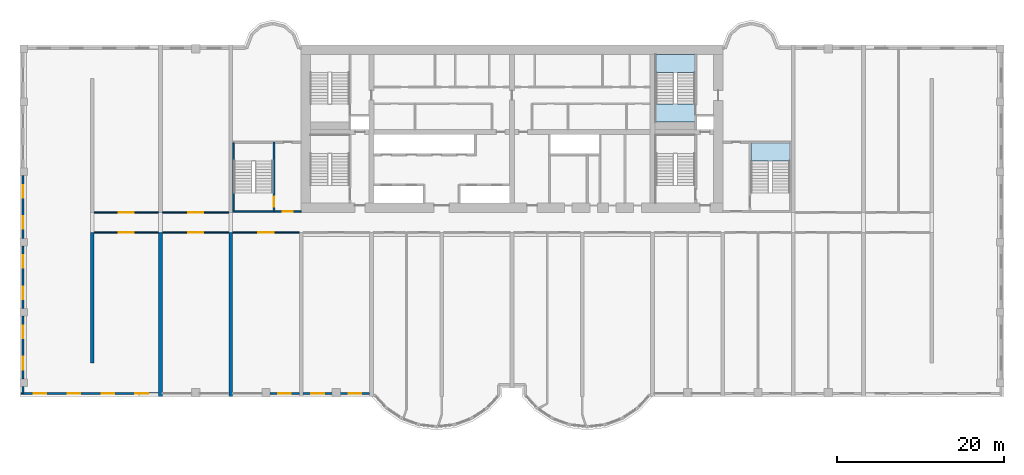
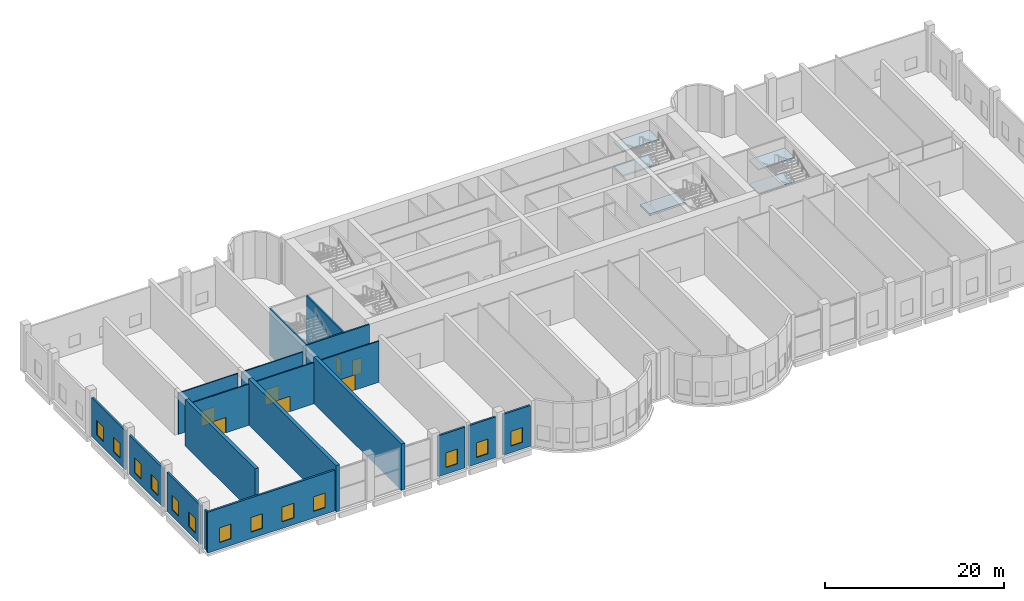
# One storey, part 6 of 15: 19 walls, 13 windows, 7 doors, 5 slabs, 20 openings, 2 elements without a shape of their own.
"""IFC4 building model written with IfcOpenShell, lengths in metres."""

from ifc_helpers import new_model, si_unit, direction, frame, frame_2d, origin, place, context, subcontext, project, spatial, polyline, rectangle, outline, extrude, source, transform, mapped, material, layer, layer_set, type_object, element, fill, aggregate, save


model = new_model("IFC4")

# Units and contexts
model_context = context("Model", 3, precision=1e-05, world=origin(), true_north=direction((0.0, 1.0)))
body_context = subcontext(model_context, "Body", "Model", "MODEL_VIEW")
ifc_project = project(units=[si_unit("LENGTHUNIT", "METRE"), si_unit("AREAUNIT", "SQUARE_METRE"), si_unit("VOLUMEUNIT", "CUBIC_METRE"), si_unit("PLANEANGLEUNIT", "RADIAN"), si_unit("MASSUNIT", "GRAM", prefix="KILO")], contexts=[model_context])

# Site, building, storey
site_placement = place(None, origin())
site = spatial("IfcSite", under=ifc_project, at=site_placement, CompositionType="ELEMENT")
building_placement = place(site_placement, origin())
building = spatial("IfcBuilding", under=site, at=building_placement, Name="Vanashikhar Sky Hotel", CompositionType="ELEMENT")
storey_placement = place(building_placement, frame((0.0, 0.0, 11.39990234375)))
storey = spatial("IfcBuildingStorey", under=building, at=storey_placement, Name="L02", CompositionType="ELEMENT", Elevation=11.39990234375)

# Stair, slabs
ifc_material_1 = material(Name="Concrete M40", Category="concrete")
stair_type = type_object("IfcStairType", Name="Exit stair 2150", PredefinedType="DOUBLE_RETURN_STAIR", material=ifc_material_1)
stair_1_placement = place(storey_placement, origin())
stair_1 = element("IfcStair", 1, at=stair_1_placement, inside=storey, type_object=stair_type, Name="L02 Exit stair 4", PredefinedType="DOUBLE_RETURN_STAIR")
ifc_layer_1 = layer(ifc_material_1, 0.199951171875)
ifc_layer_set_1 = layer_set([ifc_layer_1], Name="Stair landing 200")
slab_type_1 = type_object("IfcSlabType", Name="Stair landing 200", PredefinedType="LANDING", material=ifc_layer_set_1)
shared_shape_1 = source(origin(), body_context, "Body", "SweptSolid", [
    extrude(outline(polyline([(83.60009765625, 28.14990234375), (83.60009765625, 30.300048828125), (78.949951171875, 30.300048828125), (78.949951171875, 28.14990234375), (83.60009765625, 28.14990234375)])), origin(), (0.0, 0.0, 1.0), 0.199951171875),
])
slab_1_placement = place(storey_placement, frame((0.0, 0.0, 1.4501953125)))
slab_1 = element("IfcSlab", 2, at=slab_1_placement, type_object=slab_type_1, Name="ST-E landing 1", PredefinedType="LANDING", context=body_context, shape_type="MappedRepresentation", body=[
    mapped(shared_shape_1, transform((0.0, 0.0, 0.0), scale=1.0)),
])
shared_shape_2 = source(origin(), body_context, "Body", "SweptSolid", [
    extrude(outline(polyline([(83.60009765625, 28.14990234375), (83.60009765625, 30.300048828125), (78.949951171875, 30.300048828125), (78.949951171875, 28.14990234375), (83.60009765625, 28.14990234375)])), origin(), (0.0, 0.0, 1.0), 0.2001953125),
])
slab_2_placement = place(storey_placement, frame((0.0, 0.0, 4.75)))
slab_2 = element("IfcSlab", 3, at=slab_2_placement, type_object=slab_type_1, Name="ST-E landing 3", PredefinedType="LANDING", context=body_context, shape_type="MappedRepresentation", body=[
    mapped(shared_shape_2, transform((0.0, 0.0, 0.0), scale=1.0)),
])
aggregate(stair_1, [slab_1, slab_2])

stair_2_placement = place(storey_placement, origin())
stair_2 = element("IfcStair", 4, at=stair_2_placement, inside=storey, type_object=stair_type, Name="L02 Exit stair 6", PredefinedType="DOUBLE_RETURN_STAIR")
shared_shape_3 = source(origin(), body_context, "Body", "SweptSolid", [
    extrude(outline(polyline([(72.25, 38.75), (72.25, 40.89990234375), (67.60009765625, 40.89990234375), (67.60009765625, 38.75), (72.25, 38.75)])), origin(), (0.0, 0.0, 1.0), 0.199951171875),
])
slab_3_placement = place(storey_placement, frame((0.0, 0.0, 1.4501953125)))
slab_3 = element("IfcSlab", 5, at=slab_3_placement, type_object=slab_type_1, Name="ST-C4 landing 1", PredefinedType="LANDING", context=body_context, shape_type="MappedRepresentation", body=[
    mapped(shared_shape_3, transform((0.0, 0.0, 0.0), scale=1.0)),
])
shared_shape_4 = source(origin(), body_context, "Body", "SweptSolid", [
    extrude(outline(polyline([(72.25, 38.75), (72.25, 40.89990234375), (67.60009765625, 40.89990234375), (67.60009765625, 38.75), (72.25, 38.75)])), origin(), (0.0, 0.0, 1.0), 0.2001953125),
])
slab_4_placement = place(storey_placement, frame((0.0, 0.0, 4.75)))
slab_4 = element("IfcSlab", 6, at=slab_4_placement, type_object=slab_type_1, Name="ST-C4 landing 3", PredefinedType="LANDING", context=body_context, shape_type="MappedRepresentation", body=[
    mapped(shared_shape_4, transform((0.0, 0.0, 0.0), scale=1.0)),
])
aggregate(stair_2, [slab_3, slab_4])

# Slab
ifc_layer_2 = layer(ifc_material_1, 0.280029296875)
ifc_layer_set_2 = layer_set([ifc_layer_2], Name="Stair floor landing 280")
slab_type_2 = type_object("IfcSlabType", Name="Stair floor landing 280", PredefinedType="LANDING", material=ifc_layer_set_2)
shared_shape_5 = source(origin(), body_context, "Body", "SweptSolid", [
    extrude(outline(polyline([(72.25, 32.800048828125), (72.25, 34.949951171875), (67.60009765625, 34.949951171875), (67.60009765625, 32.800048828125), (72.25, 32.800048828125)])), origin(), (0.0, 0.0, 1.0), 0.27978515625),
])
slab_5_placement = place(storey_placement, frame((0.0, 0.0, -0.27978515625)))
element("IfcSlab", 7, at=slab_5_placement, inside=storey, type_object=slab_type_2, Name="Exit stair 6 floor landing", PredefinedType="LANDING", context=body_context, shape_type="MappedRepresentation", body=[
    mapped(shared_shape_5, transform((0.0, 0.0, 0.0), scale=1.0)),
])

# Walls
ifc_material_2 = material(Name="Concrete M80", Category="concrete")
ifc_layer_3 = layer(ifc_material_2, 0.449951171875)
ifc_layer_set_3 = layer_set([ifc_layer_3], Name="RC shear wall 450 Concrete M80")
wall_type_1 = type_object("IfcWallType", Name="RC shear wall 450 Concrete M80", PredefinedType="SHEAR", material=ifc_layer_set_3)
shared_shape_6 = source(origin(), body_context, "Body", "SweptSolid", [
    extrude(rectangle(XDim=15.60009765625, YDim=0.449951171875, at=frame_2d((7.800048828125, 0.0))), origin(), (0.0, 0.0, 1.0), 6.320068359375),
])
wall_1_placement = place(storey_placement, frame((0.22509765625, 4.0, 0.0), z_axis=(0.0, 0.0, 1.0), x_axis=(0.0, 1.0, 0.0)))
element("IfcWall", 8, at=wall_1_placement, inside=storey, type_object=wall_type_1, Name="CW-L02-XW01-1", PredefinedType="SHEAR", context=body_context, shape_type="MappedRepresentation", body=[
    mapped(shared_shape_6, transform((0.0, 0.0, 0.0), scale=1.0)),
])
shared_shape_7 = source(origin(), body_context, "Body", "SweptSolid", [
    extrude(rectangle(XDim=19.60009765625, YDim=0.449951171875, at=frame_2d((9.800048828125, 0.0))), origin(), (0.0, 0.0, 1.0), 6.320068359375),
])
for number, where, z_axis, x_axis, name in (
    (9, (8.39990234375, 0.0, 0.0), (0.0, 0.0, 1.0), (0.0, 1.0, 0.0), "CW-L02-XW02-1"),
    (10, (16.800048828125, 0.0, 0.0), (0.0, 0.0, 1.0), (0.0, 1.0, 0.0), "CW-L02-XW03-1"),
):
    element("IfcWall", number, at=place(storey_placement, frame(where, z_axis=z_axis, x_axis=x_axis)), inside=storey, type_object=wall_type_1, Name=name, PredefinedType="SHEAR", context=body_context, shape_type="MappedRepresentation", body=[
        mapped(shared_shape_7, transform((0.0, 0.0, 0.0), scale=1.0)),
    ])

# Wall, opening, window
ifc_material_3 = material(Name="Concrete M50", Category="concrete")
ifc_layer_4 = layer(ifc_material_3, 0.25)
ifc_layer_set_4 = layer_set([ifc_layer_4], Name="Rear and end board-marked wall 250")
wall_type_2 = type_object("IfcWallType", Name="Rear and end board-marked wall 250", PredefinedType="SOLIDWALL", material=ifc_layer_set_4)
shared_shape_8 = source(origin(), body_context, "Body", "SweptSolid", [
    extrude(rectangle(XDim=3.525146484375, YDim=0.25, at=frame_2d((1.7626953125, 0.0))), origin(), (0.0, 0.0, 1.0), 5.570068359375),
])
wall_2_placement = place(storey_placement, frame((21.449951171875, 0.375, 0.0), z_axis=(0.0, 0.0, 1.0), x_axis=(1.0, 0.0, 0.0)))
wall_2 = element("IfcWall", 11, at=wall_2_placement, inside=storey, type_object=wall_type_2, Name="Podium external wall", PredefinedType="SOLIDWALL", context=body_context, shape_type="MappedRepresentation", body=[
    mapped(shared_shape_8, transform((0.0, 0.0, 0.0), scale=1.0)),
])
shared_shape_9 = source(origin(), body_context, "Body", "SweptSolid", [
    extrude(rectangle(XDim=1.5, YDim=2.0, at=frame_2d((0.75, 1.0))), frame((0.0, 0.135009765625, 0.0), z_axis=(0.0, -1.0, 0.0), x_axis=(1.0, 0.0, 0.0)), (0.0, 0.0, 1.0), 0.27001953125),
])
opening_1_placement = place(wall_2_placement, frame((1.012451171875, 0.0, 0.89990234375)))
opening_1 = element("IfcOpeningElement", 12, at=opening_1_placement, cuts=wall_2, Name="Opening WN-2", PredefinedType="OPENING", context=body_context, shape_type="MappedRepresentation", body=[
    mapped(shared_shape_9, transform((0.0, 0.0, 0.0), scale=1.0)),
])
ifc_material_4 = material(Name="Glass", Category="glass")
window_type = type_object("IfcWindowType", Name="Lobe window 1500 x 2000", PartitioningType="SINGLE_PANEL", PredefinedType="WINDOW", material=ifc_material_4)
shared_shape_10 = source(origin(), body_context, "Body", "SweptSolid", [
    extrude(rectangle(XDim=1.5, YDim=2.0, at=frame_2d((0.75, 1.0))), frame((0.0, 0.030029296875, 0.0), z_axis=(0.0, -1.0, 0.0), x_axis=(1.0, 0.0, 0.0)), (0.0, 0.0, 1.0), 0.06005859375),
])
window_1_placement = place(opening_1_placement, origin())
window_1 = element("IfcWindow", 13, at=window_1_placement, inside=storey, type_object=window_type, Name="Window WN-2", OverallHeight=2.0, OverallWidth=1.5, PartitioningType="SINGLE_PANEL", PredefinedType="WINDOW", context=body_context, shape_type="MappedRepresentation", body=[
    mapped(shared_shape_10, transform((0.0, 0.0, 0.0), scale=1.0)),
])
fill(opening_1, window_1)

shared_shape_11 = source(origin(), body_context, "Body", "SweptSolid", [
    extrude(rectangle(XDim=3.52490234375, YDim=0.25, at=frame_2d((1.762451171875, 0.0))), origin(), (0.0, 0.0, 1.0), 5.570068359375),
])
wall_3_placement = place(storey_placement, frame((25.425048828125, 0.375, 0.0), z_axis=(0.0, 0.0, 1.0), x_axis=(1.0, 0.0, 0.0)))
wall_3 = element("IfcWall", 14, at=wall_3_placement, inside=storey, type_object=wall_type_2, Name="Podium external wall", PredefinedType="SOLIDWALL", context=body_context, shape_type="MappedRepresentation", body=[
    mapped(shared_shape_11, transform((0.0, 0.0, 0.0), scale=1.0)),
])
opening_2_placement = place(wall_3_placement, frame((1.012451171875, 0.0, 0.89990234375)))
opening_2 = element("IfcOpeningElement", 15, at=opening_2_placement, cuts=wall_3, Name="Opening WN-2", PredefinedType="OPENING", context=body_context, shape_type="MappedRepresentation", body=[
    mapped(shared_shape_9, transform((0.0, 0.0, 0.0), scale=1.0)),
])
window_2_placement = place(opening_2_placement, origin())
window_2 = element("IfcWindow", 16, at=window_2_placement, inside=storey, type_object=window_type, Name="Window WN-2", OverallHeight=2.0, OverallWidth=1.5, PartitioningType="SINGLE_PANEL", PredefinedType="WINDOW", context=body_context, shape_type="MappedRepresentation", body=[
    mapped(shared_shape_10, transform((0.0, 0.0, 0.0), scale=1.0)),
])
fill(opening_2, window_2)

wall_4_placement = place(storey_placement, frame((29.85009765625, 0.375, 0.0), z_axis=(0.0, 0.0, 1.0), x_axis=(1.0, 0.0, 0.0)))
wall_4 = element("IfcWall", 17, at=wall_4_placement, inside=storey, type_object=wall_type_2, Name="Podium external wall", PredefinedType="SOLIDWALL", context=body_context, shape_type="MappedRepresentation", body=[
    mapped(shared_shape_11, transform((0.0, 0.0, 0.0), scale=1.0)),
])
opening_3_placement = place(wall_4_placement, frame((1.012451171875, 0.0, 0.89990234375)))
opening_3 = element("IfcOpeningElement", 18, at=opening_3_placement, cuts=wall_4, Name="Opening WN-2", PredefinedType="OPENING", context=body_context, shape_type="MappedRepresentation", body=[
    mapped(shared_shape_9, transform((0.0, 0.0, 0.0), scale=1.0)),
])
window_3_placement = place(opening_3_placement, origin())
window_3 = element("IfcWindow", 19, at=window_3_placement, inside=storey, type_object=window_type, Name="Window WN-2", OverallHeight=2.0, OverallWidth=1.5, PartitioningType="SINGLE_PANEL", PredefinedType="WINDOW", context=body_context, shape_type="MappedRepresentation", body=[
    mapped(shared_shape_10, transform((0.0, 0.0, 0.0), scale=1.0)),
])
fill(opening_3, window_3)

# Wall, openings, windows
shared_shape_12 = source(origin(), body_context, "Body", "SweptSolid", [
    extrude(rectangle(XDim=7.5, YDim=0.25, at=frame_2d((3.75, 0.0))), origin(), (0.0, 0.0, 1.0), 5.320068359375),
])
wall_5_placement = place(storey_placement, frame((-8.02490234375, 26.39990234375, 0.0), z_axis=(0.0, 0.0, 1.0), x_axis=(0.0, -1.0, 0.0)))
wall_5 = element("IfcWall", 20, at=wall_5_placement, inside=storey, type_object=wall_type_2, Name="Podium external wall", PredefinedType="SOLIDWALL", context=body_context, shape_type="MappedRepresentation", body=[
    mapped(shared_shape_12, transform((0.0, 0.0, 0.0), scale=1.0)),
])
opening_4_placement = place(wall_5_placement, frame((1.125, 0.0, 0.89990234375)))
opening_4 = element("IfcOpeningElement", 21, at=opening_4_placement, cuts=wall_5, Name="Opening WN-2", PredefinedType="OPENING", context=body_context, shape_type="MappedRepresentation", body=[
    mapped(shared_shape_9, transform((0.0, 0.0, 0.0), scale=1.0)),
])
opening_5_placement = place(wall_5_placement, frame((4.875, 0.0, 0.89990234375)))
opening_5 = element("IfcOpeningElement", 22, at=opening_5_placement, cuts=wall_5, Name="Opening WN-2", PredefinedType="OPENING", context=body_context, shape_type="MappedRepresentation", body=[
    mapped(shared_shape_9, transform((0.0, 0.0, 0.0), scale=1.0)),
])
window_4_placement = place(opening_4_placement, origin())
window_4 = element("IfcWindow", 23, at=window_4_placement, inside=storey, type_object=window_type, Name="Window WN-2", OverallHeight=2.0, OverallWidth=1.5, PartitioningType="SINGLE_PANEL", PredefinedType="WINDOW", context=body_context, shape_type="MappedRepresentation", body=[
    mapped(shared_shape_10, transform((0.0, 0.0, 0.0), scale=1.0)),
])
fill(opening_4, window_4)
window_5_placement = place(opening_5_placement, origin())
window_5 = element("IfcWindow", 24, at=window_5_placement, inside=storey, type_object=window_type, Name="Window WN-2", OverallHeight=2.0, OverallWidth=1.5, PartitioningType="SINGLE_PANEL", PredefinedType="WINDOW", context=body_context, shape_type="MappedRepresentation", body=[
    mapped(shared_shape_10, transform((0.0, 0.0, 0.0), scale=1.0)),
])
fill(opening_5, window_5)

wall_6_placement = place(storey_placement, frame((-8.02490234375, 18.0, 0.0), z_axis=(0.0, 0.0, 1.0), x_axis=(0.0, -1.0, 0.0)))
wall_6 = element("IfcWall", 25, at=wall_6_placement, inside=storey, type_object=wall_type_2, Name="Podium external wall", PredefinedType="SOLIDWALL", context=body_context, shape_type="MappedRepresentation", body=[
    mapped(shared_shape_12, transform((0.0, 0.0, 0.0), scale=1.0)),
])
opening_6_placement = place(wall_6_placement, frame((1.125, 0.0, 0.89990234375)))
opening_6 = element("IfcOpeningElement", 26, at=opening_6_placement, cuts=wall_6, Name="Opening WN-2", PredefinedType="OPENING", context=body_context, shape_type="MappedRepresentation", body=[
    mapped(shared_shape_9, transform((0.0, 0.0, 0.0), scale=1.0)),
])
opening_7_placement = place(wall_6_placement, frame((4.875, 0.0, 0.89990234375)))
opening_7 = element("IfcOpeningElement", 27, at=opening_7_placement, cuts=wall_6, Name="Opening WN-2", PredefinedType="OPENING", context=body_context, shape_type="MappedRepresentation", body=[
    mapped(shared_shape_9, transform((0.0, 0.0, 0.0), scale=1.0)),
])
window_6_placement = place(opening_6_placement, origin())
window_6 = element("IfcWindow", 28, at=window_6_placement, inside=storey, type_object=window_type, Name="Window WN-2", OverallHeight=2.0, OverallWidth=1.5, PartitioningType="SINGLE_PANEL", PredefinedType="WINDOW", context=body_context, shape_type="MappedRepresentation", body=[
    mapped(shared_shape_10, transform((0.0, 0.0, 0.0), scale=1.0)),
])
fill(opening_6, window_6)
window_7_placement = place(opening_7_placement, origin())
window_7 = element("IfcWindow", 29, at=window_7_placement, inside=storey, type_object=window_type, Name="Window WN-2", OverallHeight=2.0, OverallWidth=1.5, PartitioningType="SINGLE_PANEL", PredefinedType="WINDOW", context=body_context, shape_type="MappedRepresentation", body=[
    mapped(shared_shape_10, transform((0.0, 0.0, 0.0), scale=1.0)),
])
fill(opening_7, window_7)

wall_7_placement = place(storey_placement, frame((-8.02490234375, 9.60009765625, 0.0), z_axis=(0.0, 0.0, 1.0), x_axis=(0.0, -1.0, 0.0)))
wall_7 = element("IfcWall", 30, at=wall_7_placement, inside=storey, type_object=wall_type_2, Name="Podium external wall", PredefinedType="SOLIDWALL", context=body_context, shape_type="MappedRepresentation", body=[
    mapped(shared_shape_12, transform((0.0, 0.0, 0.0), scale=1.0)),
])
opening_8_placement = place(wall_7_placement, frame((1.125, 0.0, 0.89990234375)))
opening_8 = element("IfcOpeningElement", 31, at=opening_8_placement, cuts=wall_7, Name="Opening WN-2", PredefinedType="OPENING", context=body_context, shape_type="MappedRepresentation", body=[
    mapped(shared_shape_9, transform((0.0, 0.0, 0.0), scale=1.0)),
])
opening_9_placement = place(wall_7_placement, frame((4.875, 0.0, 0.89990234375)))
opening_9 = element("IfcOpeningElement", 32, at=opening_9_placement, cuts=wall_7, Name="Opening WN-2", PredefinedType="OPENING", context=body_context, shape_type="MappedRepresentation", body=[
    mapped(shared_shape_9, transform((0.0, 0.0, 0.0), scale=1.0)),
])
window_8_placement = place(opening_8_placement, origin())
window_8 = element("IfcWindow", 33, at=window_8_placement, inside=storey, type_object=window_type, Name="Window WN-2", OverallHeight=2.0, OverallWidth=1.5, PartitioningType="SINGLE_PANEL", PredefinedType="WINDOW", context=body_context, shape_type="MappedRepresentation", body=[
    mapped(shared_shape_10, transform((0.0, 0.0, 0.0), scale=1.0)),
])
fill(opening_8, window_8)
window_9_placement = place(opening_9_placement, origin())
window_9 = element("IfcWindow", 34, at=window_9_placement, inside=storey, type_object=window_type, Name="Window WN-2", OverallHeight=2.0, OverallWidth=1.5, PartitioningType="SINGLE_PANEL", PredefinedType="WINDOW", context=body_context, shape_type="MappedRepresentation", body=[
    mapped(shared_shape_10, transform((0.0, 0.0, 0.0), scale=1.0)),
])
fill(opening_9, window_9)

# Wall
shared_shape_13 = source(origin(), body_context, "Body", "SweptSolid", [
    extrude(rectangle(XDim=0.824951171875, YDim=0.25, at=frame_2d((0.41259765625, 0.0))), origin(), (0.0, 0.0, 1.0), 5.320068359375),
])
wall_8_placement = place(storey_placement, frame((-8.02490234375, 1.199951171875, 0.0), z_axis=(0.0, 0.0, 1.0), x_axis=(0.0, -1.0, 0.0)))
element("IfcWall", 35, at=wall_8_placement, inside=storey, type_object=wall_type_2, Name="Podium external wall", PredefinedType="SOLIDWALL", context=body_context, shape_type="MappedRepresentation", body=[
    mapped(shared_shape_13, transform((0.0, 0.0, 0.0), scale=1.0)),
])

# Wall, openings, windows
shared_shape_14 = source(origin(), body_context, "Body", "SweptSolid", [
    extrude(rectangle(XDim=16.449951171875, YDim=0.25, at=frame_2d((8.22509765625, 0.0))), origin(), (0.0, 0.0, 1.0), 5.570068359375),
])
wall_9_placement = place(storey_placement, frame((-8.27490234375, 0.375, 0.0), z_axis=(0.0, 0.0, 1.0), x_axis=(1.0, 0.0, 0.0)))
wall_9 = element("IfcWall", 36, at=wall_9_placement, inside=storey, type_object=wall_type_2, Name="Podium external wall", PredefinedType="SOLIDWALL", context=body_context, shape_type="MappedRepresentation", body=[
    mapped(shared_shape_14, transform((0.0, 0.0, 0.0), scale=1.0)),
])
opening_10_placement = place(wall_9_placement, frame((1.52490234375, 0.0, 0.89990234375)))
opening_10 = element("IfcOpeningElement", 37, at=opening_10_placement, cuts=wall_9, Name="Opening WN-2", PredefinedType="OPENING", context=body_context, shape_type="MappedRepresentation", body=[
    mapped(shared_shape_9, transform((0.0, 0.0, 0.0), scale=1.0)),
])
opening_11_placement = place(wall_9_placement, frame((5.574951171875, 0.0, 0.89990234375)))
opening_11 = element("IfcOpeningElement", 38, at=opening_11_placement, cuts=wall_9, Name="Opening WN-2", PredefinedType="OPENING", context=body_context, shape_type="MappedRepresentation", body=[
    mapped(shared_shape_9, transform((0.0, 0.0, 0.0), scale=1.0)),
])
opening_12_placement = place(wall_9_placement, frame((9.625, 0.0, 0.89990234375)))
opening_12 = element("IfcOpeningElement", 39, at=opening_12_placement, cuts=wall_9, Name="Opening WN-2", PredefinedType="OPENING", context=body_context, shape_type="MappedRepresentation", body=[
    mapped(shared_shape_9, transform((0.0, 0.0, 0.0), scale=1.0)),
])
opening_13_placement = place(wall_9_placement, frame((13.675048828125, 0.0, 0.89990234375)))
opening_13 = element("IfcOpeningElement", 40, at=opening_13_placement, cuts=wall_9, Name="Opening WN-2", PredefinedType="OPENING", context=body_context, shape_type="MappedRepresentation", body=[
    mapped(shared_shape_9, transform((0.0, 0.0, 0.0), scale=1.0)),
])
window_10_placement = place(opening_10_placement, origin())
window_10 = element("IfcWindow", 41, at=window_10_placement, inside=storey, type_object=window_type, Name="Window WN-2", OverallHeight=2.0, OverallWidth=1.5, PartitioningType="SINGLE_PANEL", PredefinedType="WINDOW", context=body_context, shape_type="MappedRepresentation", body=[
    mapped(shared_shape_10, transform((0.0, 0.0, 0.0), scale=1.0)),
])
fill(opening_10, window_10)
window_11_placement = place(opening_11_placement, origin())
window_11 = element("IfcWindow", 42, at=window_11_placement, inside=storey, type_object=window_type, Name="Window WN-2", OverallHeight=2.0, OverallWidth=1.5, PartitioningType="SINGLE_PANEL", PredefinedType="WINDOW", context=body_context, shape_type="MappedRepresentation", body=[
    mapped(shared_shape_10, transform((0.0, 0.0, 0.0), scale=1.0)),
])
fill(opening_11, window_11)
window_12_placement = place(opening_12_placement, origin())
window_12 = element("IfcWindow", 43, at=window_12_placement, inside=storey, type_object=window_type, Name="Window WN-2", OverallHeight=2.0, OverallWidth=1.5, PartitioningType="SINGLE_PANEL", PredefinedType="WINDOW", context=body_context, shape_type="MappedRepresentation", body=[
    mapped(shared_shape_10, transform((0.0, 0.0, 0.0), scale=1.0)),
])
fill(opening_12, window_12)
window_13_placement = place(opening_13_placement, origin())
window_13 = element("IfcWindow", 44, at=window_13_placement, inside=storey, type_object=window_type, Name="Window WN-2", OverallHeight=2.0, OverallWidth=1.5, PartitioningType="SINGLE_PANEL", PredefinedType="WINDOW", context=body_context, shape_type="MappedRepresentation", body=[
    mapped(shared_shape_10, transform((0.0, 0.0, 0.0), scale=1.0)),
])
fill(opening_13, window_13)

# Wall, opening, door
ifc_layer_5 = layer(ifc_material_3, 0.199951171875)
ifc_layer_set_5 = layer_set([ifc_layer_5], Name="Stair wall 200")
wall_type_3 = type_object("IfcWallType", Name="Stair wall 200", PredefinedType="SOLIDWALL", material=ifc_layer_set_5)
shared_shape_15 = source(origin(), body_context, "Body", "SweptSolid", [
    extrude(rectangle(XDim=8.2998046875, YDim=0.199951171875, at=frame_2d((4.14990234375, 0.0))), origin(), (0.0, 0.0, 1.0), 6.320068359375),
])
wall_10_placement = place(storey_placement, frame((21.949951171875, 22.10009765625, 0.0), z_axis=(0.0, 0.0, 1.0), x_axis=(0.0, 1.0, 0.0)))
wall_10 = element("IfcWall", 45, at=wall_10_placement, inside=storey, type_object=wall_type_3, Name="Stair wall 200", PredefinedType="SOLIDWALL", context=body_context, shape_type="MappedRepresentation", body=[
    mapped(shared_shape_15, transform((0.0, 0.0, 0.0), scale=1.0)),
])
shared_shape_16 = source(origin(), body_context, "Body", "SweptSolid", [
    extrude(rectangle(XDim=1.199951171875, YDim=2.10009765625, at=frame_2d((0.60009765625, 1.050048828125))), frame((0.0, 0.10986328125, 0.0), z_axis=(0.0, -1.0, 0.0), x_axis=(1.0, 0.0, 0.0)), (0.0, 0.0, 1.0), 0.219970703125),
])
opening_14_placement = place(wall_10_placement, frame((0.60009765625, 0.0, 0.0)))
opening_14 = element("IfcOpeningElement", 46, at=opening_14_placement, cuts=wall_10, Name="Opening DC-1", PredefinedType="OPENING", context=body_context, shape_type="MappedRepresentation", body=[
    mapped(shared_shape_16, transform((0.0, 0.0, 0.0), scale=1.0)),
])
ifc_material_5 = material(Name="Steel", Category="steel")
door_type_1 = type_object("IfcDoorType", Name="Stair door 1200 FD120", OperationType="NOTDEFINED", PredefinedType="DOOR", material=ifc_material_5)
shared_shape_17 = source(origin(), body_context, "Body", "SweptSolid", [
    extrude(rectangle(XDim=1.199951171875, YDim=2.10009765625, at=frame_2d((0.60009765625, 1.050048828125))), frame((0.0, 0.02490234375, 0.0), z_axis=(0.0, -1.0, 0.0), x_axis=(1.0, 0.0, 0.0)), (0.0, 0.0, 1.0), 0.050048828125),
])
door_1_placement = place(opening_14_placement, origin())
door_1 = element("IfcDoor", 47, at=door_1_placement, inside=storey, type_object=door_type_1, Name="Stair door 1200 FD120", OperationType="SINGLE_SWING_RIGHT", OverallHeight=2.10009765625, OverallWidth=1.199951171875, PredefinedType="DOOR", context=body_context, shape_type="MappedRepresentation", body=[
    mapped(shared_shape_17, transform((0.0, 0.0, 0.0), scale=1.0)),
])
fill(opening_14, door_1)

shared_shape_18 = source(origin(), body_context, "Body", "SweptSolid", [
    extrude(rectangle(XDim=8.175048828125, YDim=0.199951171875, at=frame_2d((4.08740234375, 0.0))), origin(), (0.0, 0.0, 1.0), 6.320068359375),
])
wall_11_placement = place(storey_placement, frame((17.02490234375, 22.10009765625, 0.0), z_axis=(0.0, 0.0, 1.0), x_axis=(1.0, 0.0, 0.0)))
wall_11 = element("IfcWall", 48, at=wall_11_placement, inside=storey, type_object=wall_type_3, Name="Stair wall 200", PredefinedType="SOLIDWALL", context=body_context, shape_type="MappedRepresentation", body=[
    mapped(shared_shape_18, transform((0.0, 0.0, 0.0), scale=1.0)),
])
opening_15_placement = place(wall_11_placement, frame((5.97509765625, 0.0, 0.0)))
opening_15 = element("IfcOpeningElement", 49, at=opening_15_placement, cuts=wall_11, Name="Opening DC-2", PredefinedType="OPENING", context=body_context, shape_type="MappedRepresentation", body=[
    mapped(shared_shape_16, transform((0.0, 0.0, 0.0), scale=1.0)),
])
door_type_2 = type_object("IfcDoorType", Name="Firefighting lobby door 1200 FD120", OperationType="NOTDEFINED", PredefinedType="DOOR", material=ifc_material_5)
door_2_placement = place(opening_15_placement, origin())
door_2 = element("IfcDoor", 50, at=door_2_placement, inside=storey, type_object=door_type_2, Name="Firefighting lobby door 1200 FD120", OperationType="SINGLE_SWING_LEFT", OverallHeight=2.10009765625, OverallWidth=1.199951171875, PredefinedType="DOOR", context=body_context, shape_type="MappedRepresentation", body=[
    mapped(shared_shape_17, transform((0.0, 0.0, 0.0), scale=1.0)),
])
fill(opening_15, door_2)

# Wall
ifc_layer_6 = layer(ifc_material_3, 0.175048828125)
ifc_layer_set_6 = layer_set([ifc_layer_6], Name="Stair infill wall 175")
wall_type_4 = type_object("IfcWallType", Name="Stair infill wall 175", PredefinedType="SOLIDWALL", material=ifc_layer_set_6)
shared_shape_19 = source(origin(), body_context, "Body", "SweptSolid", [
    extrude(rectangle(XDim=8.10009765625, YDim=0.175048828125, at=frame_2d((4.050048828125, 0.0))), origin(), (0.0, 0.0, 1.0), 6.320068359375),
])
wall_12_placement = place(storey_placement, frame((17.112060546875, 22.199951171875, 0.0), z_axis=(0.0, 0.0, 1.0), x_axis=(0.0, 1.0, 0.0)))
element("IfcWall", 51, at=wall_12_placement, inside=storey, type_object=wall_type_4, Name="Stair infill wall 175", PredefinedType="SOLIDWALL", context=body_context, shape_type="MappedRepresentation", body=[
    mapped(shared_shape_19, transform((0.0, 0.0, 0.0), scale=1.0)),
])

# Wall, opening, door
ifc_material_6 = material(Name="Gypsum plasterboard partition")
ifc_layer_7 = layer(ifc_material_6, 0.14990234375)
ifc_layer_set_7 = layer_set([ifc_layer_7], Name="Corridor and demising partition 150")
wall_type_5 = type_object("IfcWallType", Name="Corridor and demising partition 150", PredefinedType="PARTITIONING", material=ifc_layer_set_7)
shared_shape_20 = source(origin(), body_context, "Body", "SweptSolid", [
    extrude(rectangle(XDim=7.72509765625, YDim=0.14990234375, at=frame_2d((3.862548828125, 0.0))), origin(), (0.0, 0.0, 1.0), 5.6201171875),
])
wall_13_placement = place(storey_placement, frame((0.449951171875, 19.60009765625, 0.0), z_axis=(0.0, 0.0, 1.0), x_axis=(1.0, 0.0, 0.0)))
wall_13 = element("IfcWall", 52, at=wall_13_placement, inside=storey, type_object=wall_type_5, Name="W-L02-PW001", PredefinedType="PARTITIONING", context=body_context, shape_type="MappedRepresentation", body=[
    mapped(shared_shape_20, transform((0.0, 0.0, 0.0), scale=1.0)),
])
shared_shape_21 = source(origin(), body_context, "Body", "SweptSolid", [
    extrude(rectangle(XDim=1.800048828125, YDim=2.10009765625, at=frame_2d((0.89990234375, 1.050048828125))), frame((0.0, 0.0849609375, 0.0), z_axis=(0.0, -1.0, 0.0), x_axis=(1.0, 0.0, 0.0)), (0.0, 0.0, 1.0), 0.169921875),
])
opening_16_placement = place(wall_13_placement, frame((2.9619140625, 0.0, 0.0)))
opening_16 = element("IfcOpeningElement", 53, at=opening_16_placement, cuts=wall_13, Name="Opening D-03", PredefinedType="OPENING", context=body_context, shape_type="MappedRepresentation", body=[
    mapped(shared_shape_21, transform((0.0, 0.0, 0.0), scale=1.0)),
])
ifc_material_7 = material(Name="Timber fire door", Category="wood")
door_type_3 = type_object("IfcDoorType", Name="Double leaf door 1800 FD30S", OperationType="NOTDEFINED", PredefinedType="DOOR", material=ifc_material_7)
shared_shape_22 = source(origin(), body_context, "Body", "SweptSolid", [
    extrude(rectangle(XDim=1.800048828125, YDim=2.10009765625, at=frame_2d((0.89990234375, 1.050048828125))), frame((0.0, 0.02490234375, 0.0), z_axis=(0.0, -1.0, 0.0), x_axis=(1.0, 0.0, 0.0)), (0.0, 0.0, 1.0), 0.050048828125),
])
door_3_placement = place(opening_16_placement, origin())
door_3 = element("IfcDoor", 54, at=door_3_placement, inside=storey, type_object=door_type_3, Name="D-L02-001", OperationType="DOUBLE_DOOR_SINGLE_SWING", OverallHeight=2.10009765625, OverallWidth=1.800048828125, PredefinedType="DOOR", context=body_context, shape_type="MappedRepresentation", body=[
    mapped(shared_shape_22, transform((0.0, 0.0, 0.0), scale=1.0)),
])
fill(opening_16, door_3)

wall_14_placement = place(storey_placement, frame((0.449951171875, 22.0, 0.0), z_axis=(0.0, 0.0, 1.0), x_axis=(1.0, 0.0, 0.0)))
wall_14 = element("IfcWall", 55, at=wall_14_placement, inside=storey, type_object=wall_type_5, Name="W-L02-PW025", PredefinedType="PARTITIONING", context=body_context, shape_type="MappedRepresentation", body=[
    mapped(shared_shape_20, transform((0.0, 0.0, 0.0), scale=1.0)),
])
opening_17_placement = place(wall_14_placement, frame((2.9619140625, 0.0, 0.0)))
opening_17 = element("IfcOpeningElement", 56, at=opening_17_placement, cuts=wall_14, Name="Opening D-03", PredefinedType="OPENING", context=body_context, shape_type="MappedRepresentation", body=[
    mapped(shared_shape_21, transform((0.0, 0.0, 0.0), scale=1.0)),
])
door_4_placement = place(opening_17_placement, origin())
door_4 = element("IfcDoor", 57, at=door_4_placement, inside=storey, type_object=door_type_3, Name="D-L02-018", OperationType="DOUBLE_DOOR_SINGLE_SWING", OverallHeight=2.10009765625, OverallWidth=1.800048828125, PredefinedType="DOOR", context=body_context, shape_type="MappedRepresentation", body=[
    mapped(shared_shape_22, transform((0.0, 0.0, 0.0), scale=1.0)),
])
fill(opening_17, door_4)

shared_shape_23 = source(origin(), body_context, "Body", "SweptSolid", [
    extrude(rectangle(XDim=7.949951171875, YDim=0.14990234375, at=frame_2d((3.97509765625, 0.0))), origin(), (0.0, 0.0, 1.0), 5.6201171875),
])
wall_15_placement = place(storey_placement, frame((8.625, 19.60009765625, 0.0), z_axis=(0.0, 0.0, 1.0), x_axis=(1.0, 0.0, 0.0)))
wall_15 = element("IfcWall", 58, at=wall_15_placement, inside=storey, type_object=wall_type_5, Name="W-L02-PW002", PredefinedType="PARTITIONING", context=body_context, shape_type="MappedRepresentation", body=[
    mapped(shared_shape_23, transform((0.0, 0.0, 0.0), scale=1.0)),
])
opening_18_placement = place(wall_15_placement, frame((3.074951171875, 0.0, 0.0)))
opening_18 = element("IfcOpeningElement", 59, at=opening_18_placement, cuts=wall_15, Name="Opening D-03", PredefinedType="OPENING", context=body_context, shape_type="MappedRepresentation", body=[
    mapped(shared_shape_21, transform((0.0, 0.0, 0.0), scale=1.0)),
])
door_5_placement = place(opening_18_placement, origin())
door_5 = element("IfcDoor", 60, at=door_5_placement, inside=storey, type_object=door_type_3, Name="D-L02-002", OperationType="DOUBLE_DOOR_SINGLE_SWING", OverallHeight=2.10009765625, OverallWidth=1.800048828125, PredefinedType="DOOR", context=body_context, shape_type="MappedRepresentation", body=[
    mapped(shared_shape_22, transform((0.0, 0.0, 0.0), scale=1.0)),
])
fill(opening_18, door_5)

wall_16_placement = place(storey_placement, frame((8.625, 22.0, 0.0), z_axis=(0.0, 0.0, 1.0), x_axis=(1.0, 0.0, 0.0)))
wall_16 = element("IfcWall", 61, at=wall_16_placement, inside=storey, type_object=wall_type_5, Name="W-L02-PW026", PredefinedType="PARTITIONING", context=body_context, shape_type="MappedRepresentation", body=[
    mapped(shared_shape_23, transform((0.0, 0.0, 0.0), scale=1.0)),
])
opening_19_placement = place(wall_16_placement, frame((3.074951171875, 0.0, 0.0)))
opening_19 = element("IfcOpeningElement", 62, at=opening_19_placement, cuts=wall_16, Name="Opening D-03", PredefinedType="OPENING", context=body_context, shape_type="MappedRepresentation", body=[
    mapped(shared_shape_21, transform((0.0, 0.0, 0.0), scale=1.0)),
])
door_6_placement = place(opening_19_placement, origin())
door_6 = element("IfcDoor", 63, at=door_6_placement, inside=storey, type_object=door_type_3, Name="D-L02-019", OperationType="DOUBLE_DOOR_SINGLE_SWING", OverallHeight=2.10009765625, OverallWidth=1.800048828125, PredefinedType="DOOR", context=body_context, shape_type="MappedRepresentation", body=[
    mapped(shared_shape_22, transform((0.0, 0.0, 0.0), scale=1.0)),
])
fill(opening_19, door_6)

shared_shape_24 = source(origin(), body_context, "Body", "SweptSolid", [
    extrude(rectangle(XDim=7.9501953125, YDim=0.14990234375, at=frame_2d((3.97509765625, 0.0))), origin(), (0.0, 0.0, 1.0), 5.6201171875),
])
wall_17_placement = place(storey_placement, frame((17.02490234375, 19.60009765625, 0.0), z_axis=(0.0, 0.0, 1.0), x_axis=(1.0, 0.0, 0.0)))
wall_17 = element("IfcWall", 64, at=wall_17_placement, inside=storey, type_object=wall_type_5, Name="W-L02-PW003", PredefinedType="PARTITIONING", context=body_context, shape_type="MappedRepresentation", body=[
    mapped(shared_shape_24, transform((0.0, 0.0, 0.0), scale=1.0)),
])
opening_20_placement = place(wall_17_placement, frame((3.074951171875, 0.0, 0.0)))
opening_20 = element("IfcOpeningElement", 65, at=opening_20_placement, cuts=wall_17, Name="Opening D-03", PredefinedType="OPENING", context=body_context, shape_type="MappedRepresentation", body=[
    mapped(shared_shape_21, transform((0.0, 0.0, 0.0), scale=1.0)),
])
door_7_placement = place(opening_20_placement, origin())
door_7 = element("IfcDoor", 66, at=door_7_placement, inside=storey, type_object=door_type_3, Name="D-L02-003", OperationType="DOUBLE_DOOR_SINGLE_SWING", OverallHeight=2.10009765625, OverallWidth=1.800048828125, PredefinedType="DOOR", context=body_context, shape_type="MappedRepresentation", body=[
    mapped(shared_shape_22, transform((0.0, 0.0, 0.0), scale=1.0)),
])
fill(opening_20, door_7)

save(model, "model.ifc")
